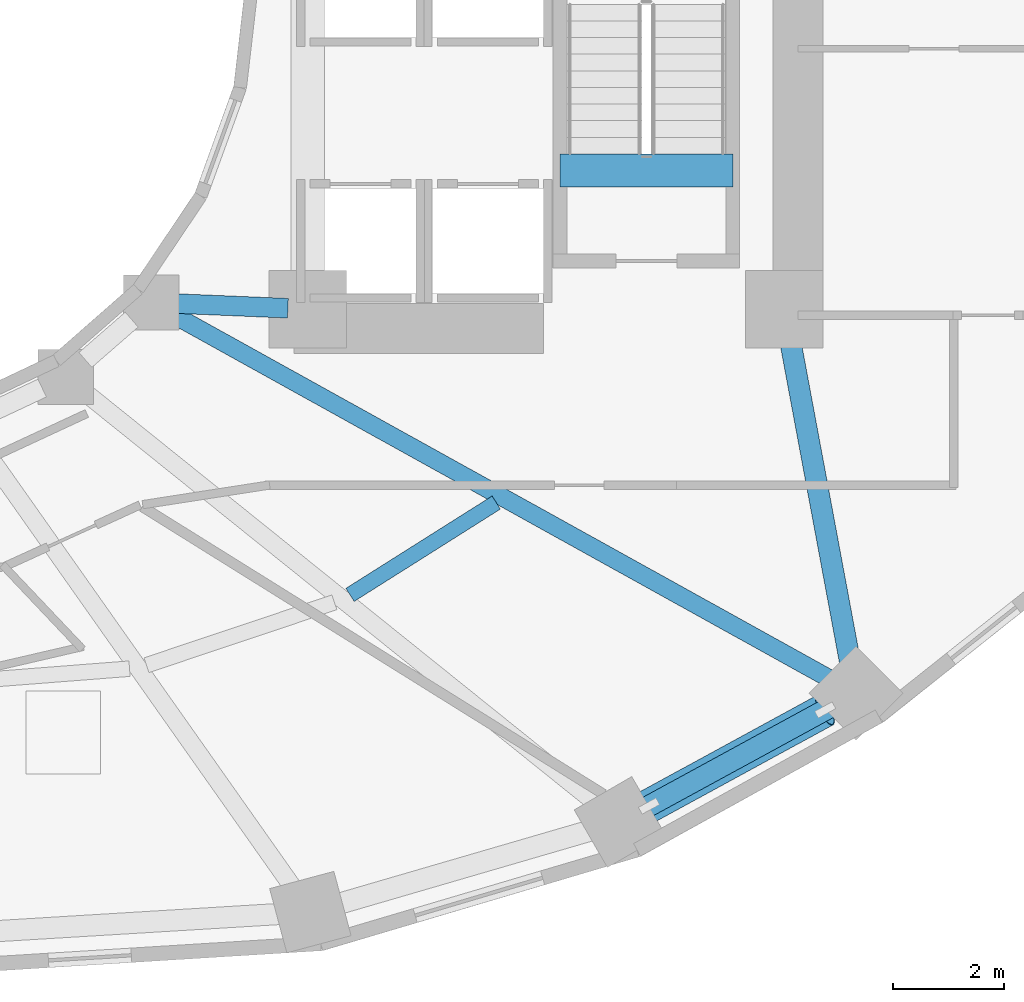
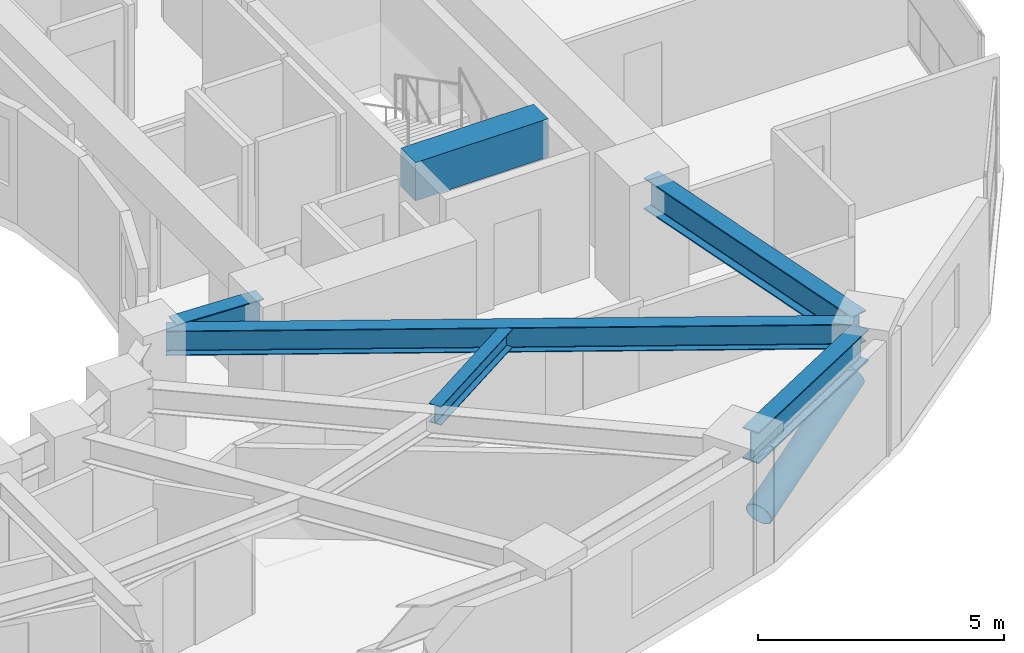
# One storey, part 2 of 14: 6 beams, 1 member.
"""IFC4 building model written with IfcOpenShell, lengths in metres."""

from ifc_helpers import new_model, si_unit, direction, frame, origin, origin_2d, place, context, subcontext, project, spatial, rectangle, hollow_circle, i_section, extrude, material, material_profile, profile_set, type_object, element, save


model = new_model("IFC4")

# Units and contexts
model_context = context("Model", 3, precision=1e-05, world=origin(), true_north=direction((0.0, 1.0)))
body_context = subcontext(model_context, "Body", "Model", "MODEL_VIEW")
ifc_project = project(units=[si_unit("LENGTHUNIT", "METRE"), si_unit("AREAUNIT", "SQUARE_METRE"), si_unit("VOLUMEUNIT", "CUBIC_METRE"), si_unit("PLANEANGLEUNIT", "RADIAN"), si_unit("MASSUNIT", "GRAM", prefix="KILO")], contexts=[model_context])

# Site, building, storey
site_placement = place(None, origin())
site = spatial("IfcSite", under=ifc_project, at=site_placement, CompositionType="ELEMENT")
building_placement = place(site_placement, origin())
building = spatial("IfcBuilding", under=site, at=building_placement, Name="Solvane Sanctuary Tower", CompositionType="ELEMENT")
storey_placement = place(building_placement, frame((0.0, 0.0, 40.0)))
storey = spatial("IfcBuildingStorey", under=building, at=storey_placement, Name="L11", CompositionType="ELEMENT", Elevation=40.0)

# Beams
ifc_material_1 = material(Name="Concrete C70/85", Category="concrete")
ifc_material_profile_1 = material_profile(ifc_material_1, rectangle(XDim=0.60009765625, YDim=0.949951171875, at=origin_2d()), Name="RC600X950")
ifc_profile_set_1 = profile_set([ifc_material_profile_1], Name="Concrete C70/85")
beam_type_1 = type_object("IfcBeamType", Name="Beam B-COUPLE RC600X950", PredefinedType="LINTEL", material=ifc_profile_set_1)
beam_1_placement = place(storey_placement, frame((44.64990234375, 19.399169921875, 2.625), z_axis=(1.0, 0.0, 0.0), x_axis=(0.0, 1.0, 0.0)))
element("IfcBeam", 1, at=beam_1_placement, inside=storey, type_object=beam_type_1, Name="L11 ST-2 Stair Floor Landing Trimmer", PredefinedType="LINTEL", context=body_context, shape_type="SweptSolid", body=[
    extrude(rectangle(XDim=0.60009765625, YDim=0.949951171875, at=origin_2d()), origin(), (0.0, 0.0, 1.0), 3.1201171875),
])
ifc_material_2 = material(Name="Steel ASTM A992 Grade 50", Category="steel")
ifc_material_profile_2 = material_profile(ifc_material_2, i_section(OverallWidth=0.323974609375, OverallDepth=0.611083984375, WebThickness=0.0126953125, FlangeThickness=0.01904296875, FilletRadius=0.01611328125, at=origin_2d()), Name="W24X104")
ifc_profile_set_2 = profile_set([ifc_material_profile_2], Name="Steel ASTM A992 Grade 50")
beam_type_2 = type_object("IfcBeamType", Name="Beam B-RAD-Z1 W24X104", PredefinedType="BEAM", material=ifc_profile_set_2)
beam_2_placement = place(storey_placement, frame((37.52001953125, 16.882080078125, 2.572509765625), z_axis=(0.87449641157, -0.485031984668, 0.0), x_axis=(0.485031984668, 0.87449641157, 0.0)))
element("IfcBeam", 2, at=beam_2_placement, inside=storey, type_object=beam_type_2, Name="L11 Radial Composite Floor Beam 14", PredefinedType="BEAM", context=body_context, shape_type="SweptSolid", body=[
    extrude(i_section(OverallWidth=0.323974609375, OverallDepth=0.611083984375, WebThickness=0.0126953125, FlangeThickness=0.01904296875, FilletRadius=0.01611328125, at=origin_2d()), origin(), (0.0, 0.0, 1.0), 13.9814453125),
])
ifc_material_profile_3 = material_profile(ifc_material_2, i_section(OverallWidth=0.35498046875, OverallDepth=0.695068359375, WebThickness=0.015380859375, FlangeThickness=0.02490234375, FilletRadius=0.01806640625, at=origin_2d()), Name="W27X146")
ifc_profile_set_3 = profile_set([ifc_material_profile_3], Name="Steel ASTM A992 Grade 50")
beam_type_3 = type_object("IfcBeamType", Name="Beam B-RING-IN1 W27X146", PredefinedType="BEAM", material=ifc_profile_set_3)
beam_3_placement = place(storey_placement, frame((37.74462890625, 16.998291015625, 2.530517578125), z_axis=(0.999130953379, -0.041681386726, 0.0), x_axis=(0.041681386726, 0.999130953379, 0.0)))
element("IfcBeam", 3, at=beam_3_placement, inside=storey, type_object=beam_type_3, Name="L11 Inner Light-Well Ring Beam IC14-CE1", PredefinedType="BEAM", context=body_context, shape_type="SweptSolid", body=[
    extrude(i_section(OverallWidth=0.35498046875, OverallDepth=0.695068359375, WebThickness=0.015380859375, FlangeThickness=0.02490234375, FilletRadius=0.01806640625, at=origin_2d()), origin(), (0.0, 0.0, 1.0), 1.997314453125),
])
ifc_material_profile_4 = material_profile(ifc_material_2, i_section(OverallWidth=0.280029296875, OverallDepth=0.462890625, WebThickness=0.0107421875, FlangeThickness=0.017333984375, FilletRadius=0.013916015625, at=origin_2d()), Name="W18X76")
ifc_profile_set_4 = profile_set([ifc_material_profile_4], Name="Steel ASTM A992 Grade 50")
beam_type_4 = type_object("IfcBeamType", Name="Beam B-SEC-JOIST W18X76", PredefinedType="JOIST", material=ifc_profile_set_4)
beam_4_placement = place(storey_placement, frame((40.861328125, 11.74072265625, 2.646484375), z_axis=(0.845524211665, 0.533937081957, 0.0), x_axis=(-0.533937081957, 0.845524211665, 0.0)))
element("IfcBeam", 4, at=beam_4_placement, inside=storey, type_object=beam_type_4, Name="L11 Secondary Circumferential Joist 13-14", PredefinedType="JOIST", context=body_context, shape_type="SweptSolid", body=[
    extrude(i_section(OverallWidth=0.280029296875, OverallDepth=0.462890625, WebThickness=0.0107421875, FlangeThickness=0.017333984375, FilletRadius=0.013916015625, at=origin_2d()), origin(), (0.0, 0.0, 1.0), 3.12158203125),
])
ifc_material_profile_5 = material_profile(ifc_material_2, i_section(OverallWidth=0.382080078125, OverallDepth=0.779052734375, WebThickness=0.01806640625, FlangeThickness=0.030029296875, FilletRadius=0.02001953125, at=origin_2d()), Name="W30X191")
ifc_profile_set_5 = profile_set([ifc_material_profile_5], Name="Steel ASTM A992 Grade 50")
beam_type_5 = type_object("IfcBeamType", Name="Beam B-SPAND-Z1 W30X191", PredefinedType="SPANDREL", material=ifc_profile_set_5)
beam_5_placement = place(storey_placement, frame((45.97314453125, 7.774658203125, 2.488525390625), z_axis=(0.878060556078, 0.478549537519, 0.0), x_axis=(-0.478549537519, 0.878060556078, 0.0)))
element("IfcBeam", 5, at=beam_5_placement, inside=storey, type_object=beam_type_5, Name="L11 Perimeter Spandrel Beam TC13-TC14", PredefinedType="SPANDREL", context=body_context, shape_type="SweptSolid", body=[
    extrude(i_section(OverallWidth=0.382080078125, OverallDepth=0.779052734375, WebThickness=0.01806640625, FlangeThickness=0.030029296875, FilletRadius=0.02001953125, at=origin_2d()), origin(), (0.0, 0.0, 1.0), 4.296630859375),
])
beam_6_placement = place(storey_placement, frame((49.9404296875, 10.239990234375, 2.488525390625), z_axis=(-0.183108171104, 0.983092771652, 0.0), x_axis=(-0.983092771652, -0.183108171104, 0.0)))
element("IfcBeam", 6, at=beam_6_placement, inside=storey, type_object=beam_type_5, Name="L11 Perimeter Spandrel Beam TC14-CE2", PredefinedType="SPANDREL", context=body_context, shape_type="SweptSolid", body=[
    extrude(i_section(OverallWidth=0.382080078125, OverallDepth=0.779052734375, WebThickness=0.01806640625, FlangeThickness=0.030029296875, FilletRadius=0.02001953125, at=origin_2d()), origin(), (0.0, 0.0, 1.0), 6.49462890625),
])

# Member
ifc_material_profile_6 = material_profile(ifc_material_2, hollow_circle(Radius=0.304931640625, WallThickness=0.01611328125, at=origin_2d()), Name="CHS610X16")
ifc_profile_set_6 = profile_set([ifc_material_profile_6], Name="Steel ASTM A992 Grade 50")
member_type = type_object("IfcMemberType", Name="Member M-TUBE-Z1 CHS610X16", PredefinedType="BRACE", material=ifc_profile_set_6)
member_placement = place(storey_placement, frame((46.262451171875, 7.932373046875, 0.595703125), z_axis=(0.827739985201, 0.451112238875, 0.333682880648), x_axis=(-0.478539548862, 0.878065999897, 0.0)))
element("IfcMember", 7, at=member_placement, inside=storey, type_object=member_type, Name="L11 Perimeter Braced-Tube Diagonal SE", PredefinedType="BRACE", context=body_context, shape_type="SweptSolid", body=[
    extrude(hollow_circle(Radius=0.304931640625, WallThickness=0.01611328125, at=origin_2d()), origin(), (0.0, 0.0, 1.0), 3.831787109375),
])

save(model, "model.ifc")
